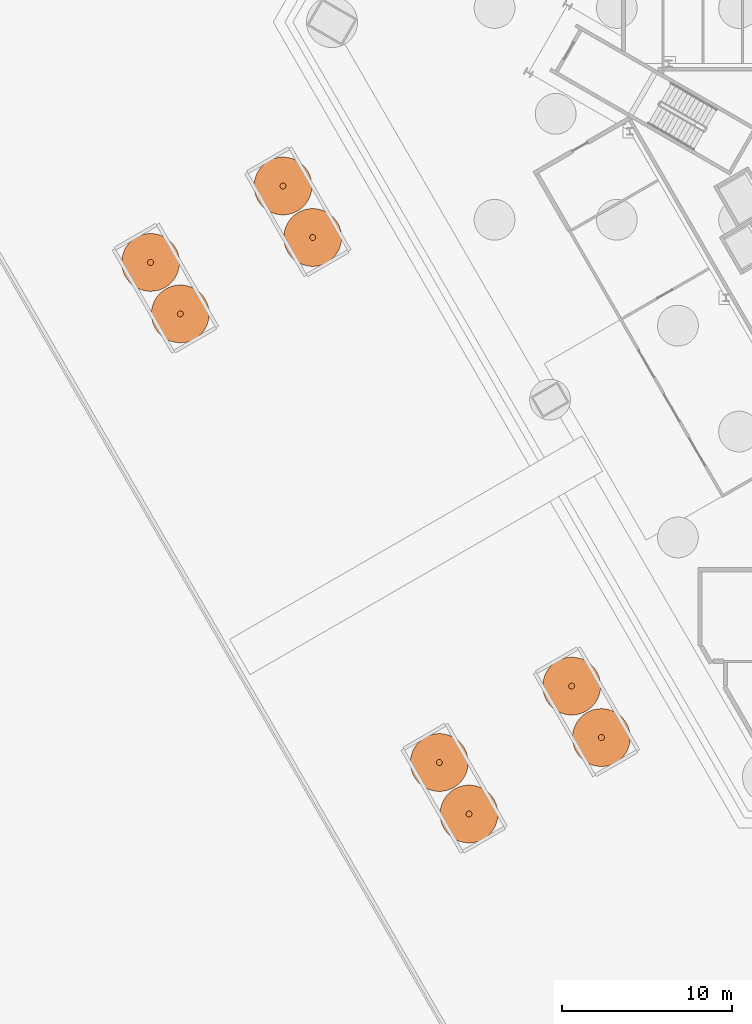
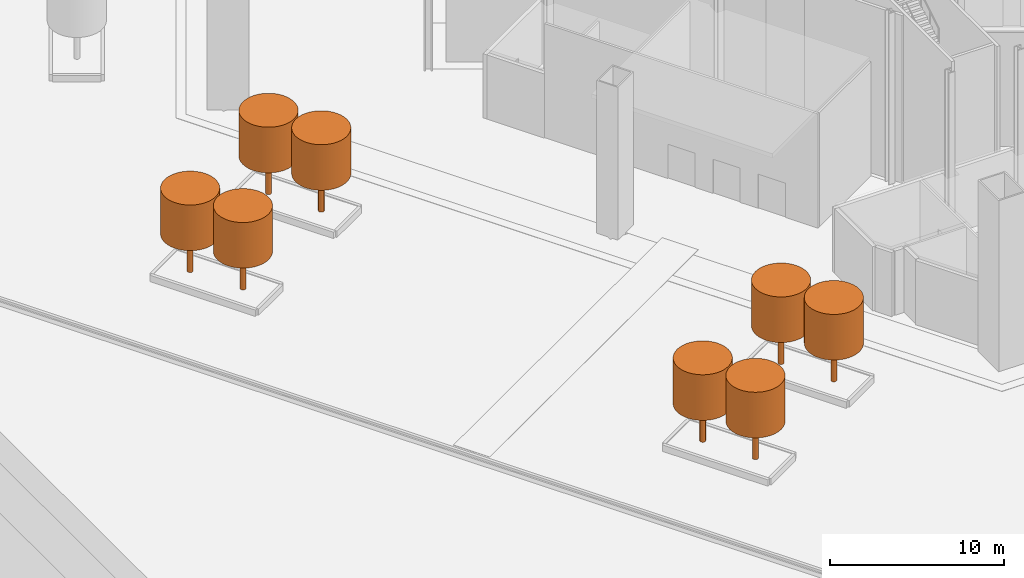
# One storey, part 19 of 22: 16 geographic elements.
"""IFC4 building model written with IfcOpenShell, lengths in metres."""

from ifc_helpers import new_model, si_unit, direction, frame, origin, origin_2d, place, context, subcontext, project, spatial, circle, extrude, element, save


model = new_model("IFC4")

# Units and contexts
model_context = context("Model", 3, precision=1e-05, world=origin(), true_north=direction((0.0, 1.0)))
body_context = subcontext(model_context, "Body", "Model", "MODEL_VIEW")
ifc_project = project(units=[si_unit("LENGTHUNIT", "METRE"), si_unit("AREAUNIT", "SQUARE_METRE"), si_unit("VOLUMEUNIT", "CUBIC_METRE"), si_unit("PLANEANGLEUNIT", "RADIAN"), si_unit("MASSUNIT", "GRAM", prefix="KILO")], contexts=[model_context])

# Site, building, storey
site_placement = place(None, origin())
site = spatial("IfcSite", under=ifc_project, at=site_placement, CompositionType="ELEMENT")
building_placement = place(site_placement, origin())
building = spatial("IfcBuilding", under=site, at=building_placement, Name="Verrane Prism Tower", CompositionType="ELEMENT")
storey_placement = place(building_placement, origin())
storey = spatial("IfcBuildingStorey", under=building, at=storey_placement, Name="L00", CompositionType="ELEMENT", Elevation=0.0)

# Geographic elements
geographic_element_1_placement = place(storey_placement, frame((-34.056640625, 1.988037109375, 3.199951171875), z_axis=(0.0, 0.0, -1.0), x_axis=(1.0, 0.0, 0.0)))
element("IfcGeographicElement", 1, at=geographic_element_1_placement, inside=storey, Name="Tree trunk 5.1", ObjectType="TREE TRUNK", PredefinedType="USERDEFINED", context=body_context, shape_type="SweptSolid", body=[
    extrude(circle(Radius=0.175048828125, at=origin_2d()), origin(), (0.0, 0.0, 1.0), 2.800048828125),
])
geographic_element_2_placement = place(storey_placement, frame((-34.056640625, 1.988037109375, 6.199951171875), z_axis=(0.0, 0.0, -1.0), x_axis=(1.0, 0.0, 0.0)))
element("IfcGeographicElement", 2, at=geographic_element_2_placement, inside=storey, Name="Tree crown 5.1", ObjectType="TREE CROWN", PredefinedType="USERDEFINED", context=body_context, shape_type="SweptSolid", body=[
    extrude(circle(Radius=1.699951171875, at=origin_2d()), origin(), (0.0, 0.0, 1.0), 3.199951171875),
])
geographic_element_3_placement = place(storey_placement, frame((-32.306640625, -1.043212890625, 3.199951171875), z_axis=(0.0, 0.0, -1.0), x_axis=(1.0, 0.0, 0.0)))
element("IfcGeographicElement", 3, at=geographic_element_3_placement, inside=storey, Name="Tree trunk 5.2", ObjectType="TREE TRUNK", PredefinedType="USERDEFINED", context=body_context, shape_type="SweptSolid", body=[
    extrude(circle(Radius=0.175048828125, at=origin_2d()), origin(), (0.0, 0.0, 1.0), 2.800048828125),
])
geographic_element_4_placement = place(storey_placement, frame((-32.306640625, -1.043212890625, 6.199951171875), z_axis=(0.0, 0.0, -1.0), x_axis=(1.0, 0.0, 0.0)))
element("IfcGeographicElement", 4, at=geographic_element_4_placement, inside=storey, Name="Tree crown 5.2", ObjectType="TREE CROWN", PredefinedType="USERDEFINED", context=body_context, shape_type="SweptSolid", body=[
    extrude(circle(Radius=1.699951171875, at=origin_2d()), origin(), (0.0, 0.0, 1.0), 3.199951171875),
])
geographic_element_5_placement = place(storey_placement, frame((-17.056640625, -27.456787109375, 3.199951171875), z_axis=(0.0, 0.0, -1.0), x_axis=(1.0, 0.0, 0.0)))
element("IfcGeographicElement", 5, at=geographic_element_5_placement, inside=storey, Name="Tree trunk 6.1", ObjectType="TREE TRUNK", PredefinedType="USERDEFINED", context=body_context, shape_type="SweptSolid", body=[
    extrude(circle(Radius=0.175048828125, at=origin_2d()), origin(), (0.0, 0.0, 1.0), 2.800048828125),
])
geographic_element_6_placement = place(storey_placement, frame((-17.056640625, -27.456787109375, 6.199951171875), z_axis=(0.0, 0.0, -1.0), x_axis=(1.0, 0.0, 0.0)))
element("IfcGeographicElement", 6, at=geographic_element_6_placement, inside=storey, Name="Tree crown 6.1", ObjectType="TREE CROWN", PredefinedType="USERDEFINED", context=body_context, shape_type="SweptSolid", body=[
    extrude(circle(Radius=1.699951171875, at=origin_2d()), origin(), (0.0, 0.0, 1.0), 3.199951171875),
])
geographic_element_7_placement = place(storey_placement, frame((-15.306640625, -30.488037109375, 3.199951171875), z_axis=(0.0, 0.0, -1.0), x_axis=(1.0, 0.0, 0.0)))
element("IfcGeographicElement", 7, at=geographic_element_7_placement, inside=storey, Name="Tree trunk 6.2", ObjectType="TREE TRUNK", PredefinedType="USERDEFINED", context=body_context, shape_type="SweptSolid", body=[
    extrude(circle(Radius=0.175048828125, at=origin_2d()), origin(), (0.0, 0.0, 1.0), 2.800048828125),
])
geographic_element_8_placement = place(storey_placement, frame((-15.306640625, -30.488037109375, 6.199951171875), z_axis=(0.0, 0.0, -1.0), x_axis=(1.0, 0.0, 0.0)))
element("IfcGeographicElement", 8, at=geographic_element_8_placement, inside=storey, Name="Tree crown 6.2", ObjectType="TREE CROWN", PredefinedType="USERDEFINED", context=body_context, shape_type="SweptSolid", body=[
    extrude(circle(Radius=1.699951171875, at=origin_2d()), origin(), (0.0, 0.0, 1.0), 3.199951171875),
])
geographic_element_9_placement = place(storey_placement, frame((-41.85107421875, -2.511962890625, 3.199951171875), z_axis=(0.0, 0.0, -1.0), x_axis=(1.0, 0.0, 0.0)))
element("IfcGeographicElement", 9, at=geographic_element_9_placement, inside=storey, Name="Tree trunk 7.1", ObjectType="TREE TRUNK", PredefinedType="USERDEFINED", context=body_context, shape_type="SweptSolid", body=[
    extrude(circle(Radius=0.175048828125, at=origin_2d()), origin(), (0.0, 0.0, 1.0), 2.800048828125),
])
geographic_element_10_placement = place(storey_placement, frame((-41.85107421875, -2.511962890625, 6.199951171875), z_axis=(0.0, 0.0, -1.0), x_axis=(1.0, 0.0, 0.0)))
element("IfcGeographicElement", 10, at=geographic_element_10_placement, inside=storey, Name="Tree crown 7.1", ObjectType="TREE CROWN", PredefinedType="USERDEFINED", context=body_context, shape_type="SweptSolid", body=[
    extrude(circle(Radius=1.699951171875, at=origin_2d()), origin(), (0.0, 0.0, 1.0), 3.199951171875),
])
geographic_element_11_placement = place(storey_placement, frame((-40.10107421875, -5.543212890625, 3.199951171875), z_axis=(0.0, 0.0, -1.0), x_axis=(1.0, 0.0, 0.0)))
element("IfcGeographicElement", 11, at=geographic_element_11_placement, inside=storey, Name="Tree trunk 7.2", ObjectType="TREE TRUNK", PredefinedType="USERDEFINED", context=body_context, shape_type="SweptSolid", body=[
    extrude(circle(Radius=0.175048828125, at=origin_2d()), origin(), (0.0, 0.0, 1.0), 2.800048828125),
])
geographic_element_12_placement = place(storey_placement, frame((-40.10107421875, -5.543212890625, 6.199951171875), z_axis=(0.0, 0.0, -1.0), x_axis=(1.0, 0.0, 0.0)))
element("IfcGeographicElement", 12, at=geographic_element_12_placement, inside=storey, Name="Tree crown 7.2", ObjectType="TREE CROWN", PredefinedType="USERDEFINED", context=body_context, shape_type="SweptSolid", body=[
    extrude(circle(Radius=1.699951171875, at=origin_2d()), origin(), (0.0, 0.0, 1.0), 3.199951171875),
])
geographic_element_13_placement = place(storey_placement, frame((-24.85107421875, -31.956787109375, 3.199951171875), z_axis=(0.0, 0.0, -1.0), x_axis=(1.0, 0.0, 0.0)))
element("IfcGeographicElement", 13, at=geographic_element_13_placement, inside=storey, Name="Tree trunk 8.1", ObjectType="TREE TRUNK", PredefinedType="USERDEFINED", context=body_context, shape_type="SweptSolid", body=[
    extrude(circle(Radius=0.175048828125, at=origin_2d()), origin(), (0.0, 0.0, 1.0), 2.800048828125),
])
geographic_element_14_placement = place(storey_placement, frame((-24.85107421875, -31.956787109375, 6.199951171875), z_axis=(0.0, 0.0, -1.0), x_axis=(1.0, 0.0, 0.0)))
element("IfcGeographicElement", 14, at=geographic_element_14_placement, inside=storey, Name="Tree crown 8.1", ObjectType="TREE CROWN", PredefinedType="USERDEFINED", context=body_context, shape_type="SweptSolid", body=[
    extrude(circle(Radius=1.699951171875, at=origin_2d()), origin(), (0.0, 0.0, 1.0), 3.199951171875),
])
geographic_element_15_placement = place(storey_placement, frame((-23.10107421875, -34.988037109375, 3.199951171875), z_axis=(0.0, 0.0, -1.0), x_axis=(1.0, 0.0, 0.0)))
element("IfcGeographicElement", 15, at=geographic_element_15_placement, inside=storey, Name="Tree trunk 8.2", ObjectType="TREE TRUNK", PredefinedType="USERDEFINED", context=body_context, shape_type="SweptSolid", body=[
    extrude(circle(Radius=0.175048828125, at=origin_2d()), origin(), (0.0, 0.0, 1.0), 2.800048828125),
])
geographic_element_16_placement = place(storey_placement, frame((-23.10107421875, -34.988037109375, 6.199951171875), z_axis=(0.0, 0.0, -1.0), x_axis=(1.0, 0.0, 0.0)))
element("IfcGeographicElement", 16, at=geographic_element_16_placement, inside=storey, Name="Tree crown 8.2", ObjectType="TREE CROWN", PredefinedType="USERDEFINED", context=body_context, shape_type="SweptSolid", body=[
    extrude(circle(Radius=1.699951171875, at=origin_2d()), origin(), (0.0, 0.0, 1.0), 3.199951171875),
])

save(model, "model.ifc")
